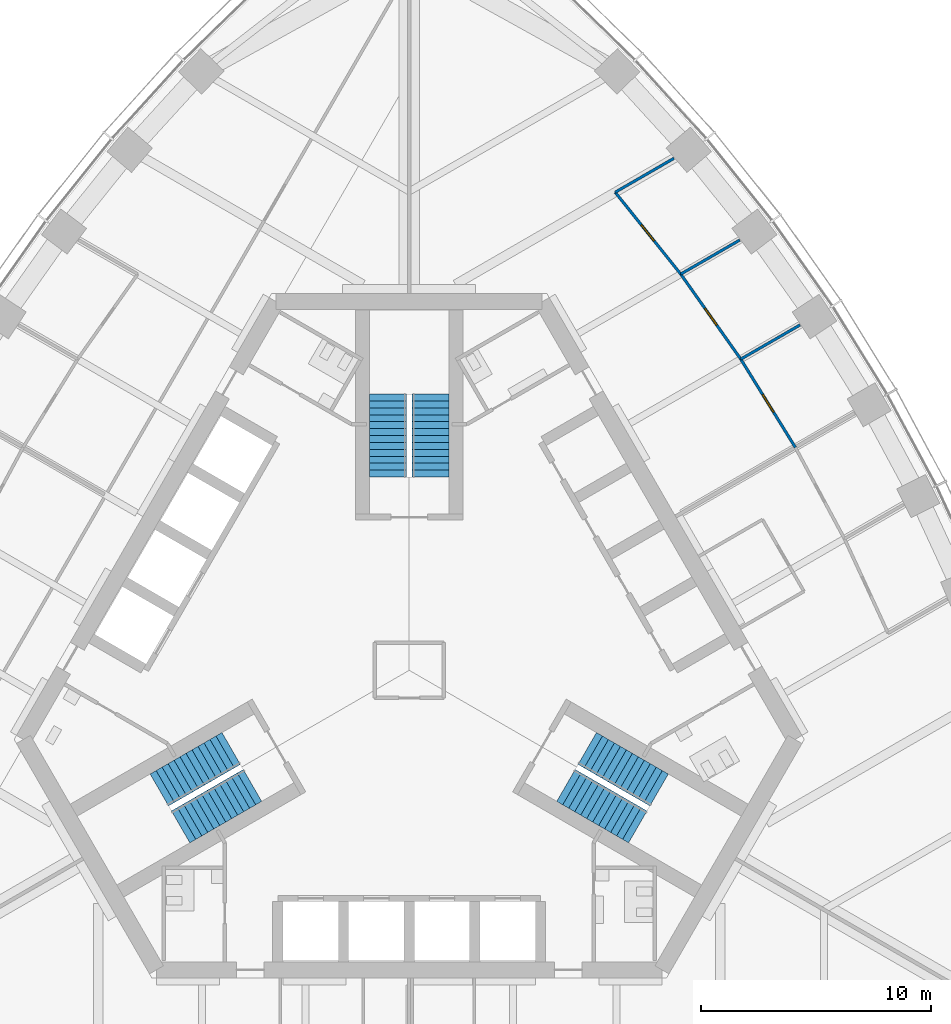
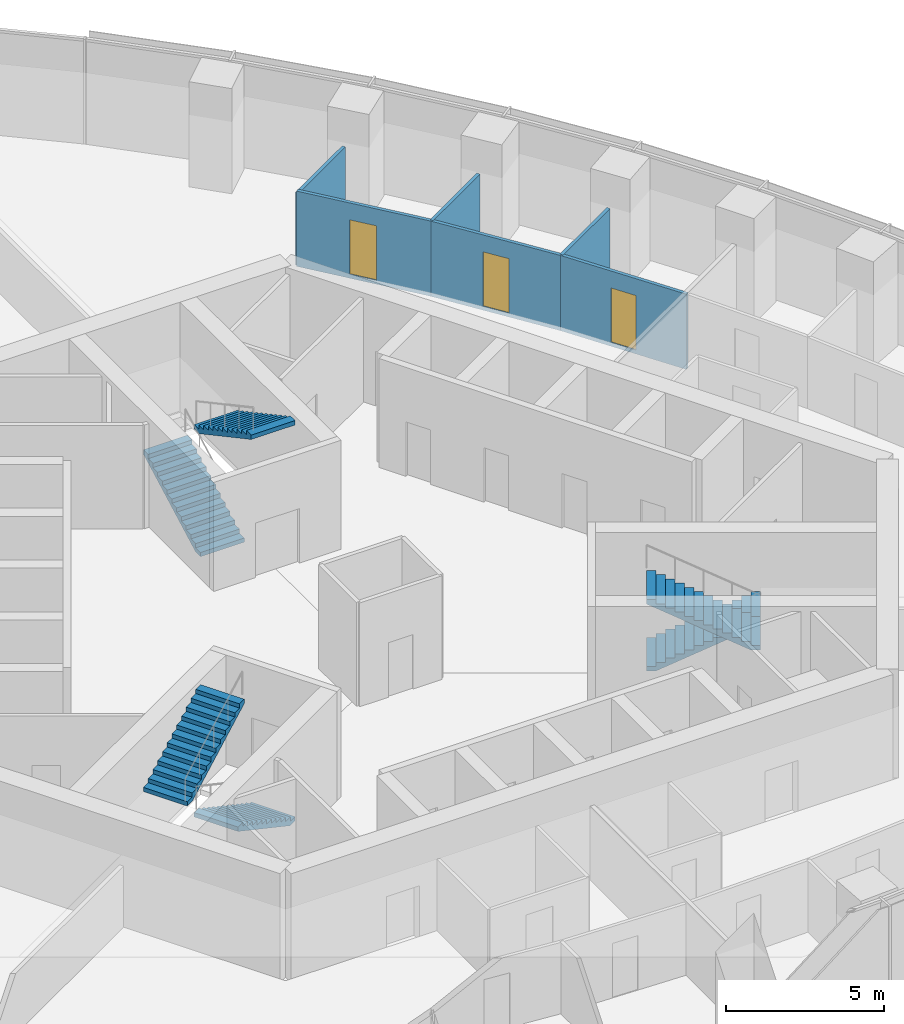
# One storey, part 11 of 16: 6 stair flights, 6 walls, 3 doors, 3 openings, 3 elements without a shape of their own.
"""IFC4 building model written with IfcOpenShell, lengths in metres."""

import ifcopenshell
import ifcopenshell.guid

model = None  # the IFC model being written
_history = None  # IfcOwnerHistory: only IFC2X3 demands one
_inside = {}  # id of a spatial element -> (the spatial element, [elements in it])
_under = {}  # id of a project, library or spatial element -> (it, [spatial elements below it])
_declared = {}  # id of a project -> (the project, [libraries it declares])
_typed = {}  # id of a type object -> (the type object, [elements of that type])
_made_of = {}  # id of a material, layer set ... -> (it, [elements and type objects made of it])


def new_model(schema):
    """Start an empty IFC model of exactly this schema.

    Asked for "IFC4X3", IfcOpenShell would pick the latest addendum, in which some entities
    have other attributes; the version numbers below select the first issue.
    IFC2X3 requires an IfcOwnerHistory on every rooted entity: one is made here for all.
    """
    global model, _history
    if schema == "IFC4X3":
        model = ifcopenshell.file(schema_version=(4, 3, 0, 0))
    else:
        model = ifcopenshell.file(schema=schema)
    _inside.clear()
    _under.clear()
    _declared.clear()
    _typed.clear()
    _made_of.clear()
    _history = None
    if model.schema == "IFC2X3":
        org = make("IfcOrganization", Name="unknown")
        user = make(
            "IfcPersonAndOrganization",
            ThePerson=make("IfcPerson", FamilyName="unknown"),
            TheOrganization=org,
        )
        app = make(
            "IfcApplication",
            ApplicationDeveloper=org,
            Version="unknown",
            ApplicationFullName="unknown",
            ApplicationIdentifier="unknown",
        )
        _history = make(
            "IfcOwnerHistory",
            OwningUser=user,
            OwningApplication=app,
            ChangeAction="ADDED",
            CreationDate=0,
        )
    return model


def make(cls, **values):
    """One entity of the class cls with the attributes given. An attribute that is None is left unset."""
    return model.create_entity(
        cls, **{name: value for name, value in values.items() if value is not None}
    )


def rooted(cls, **values):
    """An entity with a GlobalId (a new one), such as an element, a storey or a relation."""
    return make(cls, GlobalId=ifcopenshell.guid.new(), OwnerHistory=_history, **values)


def si_unit(unit_type, name, prefix=None):
    """IfcSIUnit, for example si_unit("LENGTHUNIT", "METRE", prefix="MILLI")."""
    return make("IfcSIUnit", UnitType=unit_type, Prefix=prefix, Name=name)


def assignment(units):
    """IfcUnitAssignment: the units of a project."""
    return None if units is None else make("IfcUnitAssignment", Units=units)


def point(xyz):
    """IfcCartesianPoint."""
    return None if xyz is None else make("IfcCartesianPoint", Coordinates=xyz)


def direction(xyz):
    """IfcDirection."""
    return None if xyz is None else make("IfcDirection", DirectionRatios=xyz)


def frame(location, z_axis=None, x_axis=None):
    """IfcAxis2Placement3D, a coordinate frame: its origin and axes. An axis left out is left unset."""
    return make(
        "IfcAxis2Placement3D",
        Location=point(location),
        Axis=direction(z_axis),
        RefDirection=direction(x_axis),
    )


def frame_2d(location, x_axis=None):
    """IfcAxis2Placement2D, a coordinate frame in the plane: its origin and x axis."""
    return make(
        "IfcAxis2Placement2D", Location=point(location), RefDirection=direction(x_axis)
    )


def origin():
    """The frame at (0, 0, 0) with its axes left unset."""
    return frame((0.0, 0.0, 0.0))


def place(relative_to, where):
    """IfcLocalPlacement: puts the frame where relative to a parent placement (None: the world)."""
    return make(
        "IfcLocalPlacement", PlacementRelTo=relative_to, RelativePlacement=where
    )


def context(
    kind, dimensions, precision=None, world=None, true_north=None, identifier=None
):
    """IfcGeometricRepresentationContext, for example the 3D "Model" context."""
    return make(
        "IfcGeometricRepresentationContext",
        ContextIdentifier=identifier,
        ContextType=kind,
        CoordinateSpaceDimension=dimensions,
        Precision=precision,
        WorldCoordinateSystem=world,
        TrueNorth=true_north,
    )


def subcontext(parent, identifier, kind, view, scale=None):
    """IfcGeometricRepresentationSubContext, for example "Body" below "Model"."""
    return make(
        "IfcGeometricRepresentationSubContext",
        ContextIdentifier=identifier,
        ContextType=kind,
        ParentContext=parent,
        TargetScale=scale,
        TargetView=view,
    )


def project(units=None, contexts=None):
    """IfcProject with its units and contexts."""
    return rooted(
        "IfcProject",
        Name="project",
        RepresentationContexts=contexts,
        UnitsInContext=assignment(units),
    )


def spatial(cls, under=None, at=None, **own):
    """A site, building, storey or space (cls), placed at a placement, below another one or the project."""
    s = rooted(cls, ObjectPlacement=at, **own)
    if under is not None:
        _under.setdefault(under.id(), (under, []))[1].append(s)
    return s


def polyline(points):
    """IfcPolyline through the points."""
    return make("IfcPolyline", Points=[point(p) for p in points])


def profile(cls, at=None, kind="AREA", **sizes):
    """A parametric profile (cls). Its sizes go by their IFC names, for example OverallWidth=200.0."""
    return make(cls, ProfileType=kind, Position=at, **sizes)


def rectangle(**sizes):
    """IfcRectangleProfileDef."""
    return profile("IfcRectangleProfileDef", **sizes)


def outline(outer, holes=None, kind="AREA"):
    """IfcArbitraryClosedProfileDef: a profile drawn as a closed curve; with holes, ...WithVoids."""
    if holes is None:
        return make("IfcArbitraryClosedProfileDef", ProfileType=kind, OuterCurve=outer)
    return make(
        "IfcArbitraryProfileDefWithVoids",
        ProfileType=kind,
        OuterCurve=outer,
        InnerCurves=holes,
    )


def extrude(swept, where, along, depth):
    """IfcExtrudedAreaSolid: the profile swept, set in the frame where, extruded along a direction by depth."""
    return make(
        "IfcExtrudedAreaSolid",
        SweptArea=swept,
        Position=where,
        ExtrudedDirection=direction(along),
        Depth=depth,
    )


def shape(context_of_items, identifier, shape_type, items):
    """IfcShapeRepresentation: the items that make up one representation, for example the "Body"."""
    return make(
        "IfcShapeRepresentation",
        ContextOfItems=context_of_items,
        RepresentationIdentifier=identifier,
        RepresentationType=shape_type,
        Items=items,
    )


def material(Name=None, Category=None):
    """IfcMaterial."""
    return make("IfcMaterial", Name=Name, Category=Category)


def layer(
    of_material, thickness, ventilated=None, Name=None, Category=None, Priority=None
):
    """IfcMaterialLayer: one layer of a wall or slab, of a material (None: an air gap)."""
    return make(
        "IfcMaterialLayer",
        Material=of_material,
        LayerThickness=thickness,
        IsVentilated=ventilated,
        Name=Name,
        Category=Category,
        Priority=Priority,
    )


def layer_set(layers, Name=None):
    """IfcMaterialLayerSet."""
    return make("IfcMaterialLayerSet", MaterialLayers=layers, LayerSetName=Name)


def made_of(thing, what):
    """Note that an element or type object is made of a material, layer set ...; save() writes the relation."""
    if what is not None:
        _made_of.setdefault(what.id(), (what, []))[1].append(thing)
    return thing


def type_object(cls, material=None, **own):
    """A type object (cls), such as IfcWallType, which elements share."""
    return made_of(rooted(cls, **own), material)


def element(
    cls,
    number,
    at=None,
    inside=None,
    cuts=None,
    type_object=None,
    material=None,
    context=None,
    identifier="Body",
    shape_type=None,
    held_by="IfcProductDefinitionShape",
    body=None,
    shapes=None,
    **own,
):
    """One element of the class cls, such as IfcWall. Its Tag is "e" and its number.

    at: its placement. inside: the storey or other place that contains it. cuts: it is an
    opening in that element (IfcRelVoidsElement). A single representation is given by context,
    identifier, shape_type and body (its items); several are given by shapes. held_by: the class
    of the entity that holds the representations. save() writes the other relations.
    """
    e = rooted(cls, Tag="e%d" % number, ObjectPlacement=at, **own)
    if body is not None:
        shapes = [shape(context, identifier, shape_type, body)]
    if shapes is not None:
        e.Representation = make(held_by, Representations=shapes)
    if inside is not None:
        _inside.setdefault(inside.id(), (inside, []))[1].append(e)
    if cuts is not None:
        rooted(
            "IfcRelVoidsElement", RelatingBuildingElement=cuts, RelatedOpeningElement=e
        )
    if type_object is not None:
        _typed.setdefault(type_object.id(), (type_object, []))[1].append(e)
    return made_of(e, material)


def fill(opening, filler):
    """IfcRelFillsElement: the door or window that sits in an opening."""
    return rooted(
        "IfcRelFillsElement",
        RelatingOpeningElement=opening,
        RelatedBuildingElement=filler,
    )


def aggregate(whole, parts):
    """IfcRelAggregates: a whole, such as a stair, and the parts it consists of."""
    return rooted("IfcRelAggregates", RelatingObject=whole, RelatedObjects=parts)


def save(model, path):
    """Write the relations noted so far, then the file.

    IfcRelAggregates (storeys below a building ...), IfcRelContainedInSpatialStructure (elements
    in a storey), IfcRelDefinesByType, IfcRelAssociatesMaterial and IfcRelDeclares: one each for
    every whole, place, type object, material and project.
    """
    for whole, parts in _under.values():
        aggregate(whole, parts)
    for where, things in _inside.values():
        rooted(
            "IfcRelContainedInSpatialStructure",
            RelatedElements=things,
            RelatingStructure=where,
        )
    for kind, things in _typed.values():
        rooted("IfcRelDefinesByType", RelatedObjects=things, RelatingType=kind)
    for what, things in _made_of.values():
        rooted("IfcRelAssociatesMaterial", RelatedObjects=things, RelatingMaterial=what)
    for by, libraries in _declared.values():
        rooted("IfcRelDeclares", RelatingContext=by, RelatedDefinitions=libraries)
    model.write(path)


model = new_model("IFC4")

# Units and contexts
model_context = context("Model", 3, precision=1e-05, world=origin(), true_north=direction((0.0, 1.0)))
body_context = subcontext(model_context, "Body", "Model", "MODEL_VIEW")
ifc_project = project(units=[si_unit("LENGTHUNIT", "METRE"), si_unit("AREAUNIT", "SQUARE_METRE"), si_unit("VOLUMEUNIT", "CUBIC_METRE"), si_unit("PLANEANGLEUNIT", "RADIAN"), si_unit("MASSUNIT", "GRAM", prefix="KILO")], contexts=[model_context])

# Site, building, storey
site_placement = place(None, origin())
site = spatial("IfcSite", under=ifc_project, at=site_placement, CompositionType="ELEMENT")
building_placement = place(site_placement, origin())
building = spatial("IfcBuilding", under=site, at=building_placement, Name="Trefoil Bronze Tower", CompositionType="ELEMENT")
storey_placement = place(building_placement, frame((0.0, 0.0, 284.699951171875)))
storey = spatial("IfcBuildingStorey", under=building, at=storey_placement, Name="L65", CompositionType="ELEMENT", Elevation=284.699951171875)

# Wall, opening, door
ifc_material_1 = material(Name="Glazed partition", Category="glass")
ifc_layer = layer(ifc_material_1, 0.1201171875)
ifc_layer_set = layer_set([ifc_layer], Name="Glazed partition 120")
wall_type = type_object("IfcWallType", Name="Glazed partition 120", PredefinedType="PARTITIONING", material=ifc_layer_set)
wall_1_placement = place(storey_placement, frame((16.759033203125, 9.67578125, 0.0), z_axis=(0.0, 0.0, 1.0), x_axis=(-0.525996140194, 0.850486954927, 0.0)))
wall_1 = element("IfcWall", 1, at=wall_1_placement, inside=storey, type_object=wall_type, Name="Partition F2 L65", PredefinedType="PARTITIONING", context=body_context, shape_type="SweptSolid", body=[
    extrude(rectangle(XDim=4.502197265625, YDim=0.1201171875, at=frame_2d((2.2509765625, 0.0))), origin(), (0.0, 0.0, 1.0), 2.900146484375),
])
opening_1_placement = place(wall_1_placement, frame((1.800048828125, 0.0, 0.14990234375)))
opening_1 = element("IfcOpeningElement", 2, at=opening_1_placement, cuts=wall_1, Name="Opening D8", PredefinedType="OPENING", context=body_context, shape_type="SweptSolid", body=[
    extrude(rectangle(XDim=0.89990234375, YDim=2.10009765625, at=frame_2d((0.449951171875, 1.050048828125))), frame((0.0, 0.070068359375, 0.0), z_axis=(0.0, -1.0, 0.0), x_axis=(1.0, 0.0, 0.0)), (0.0, 0.0, 1.0), 0.14013671875),
])
ifc_material_2 = material(Name="Timber door", Category="wood")
door_type = type_object("IfcDoorType", Name="Office door 900", OperationType="SINGLE_SWING_LEFT", PredefinedType="DOOR", material=ifc_material_2)
door_1_placement = place(opening_1_placement, frame((0.89990234375, 0.0, 0.0), z_axis=(0.0, 0.0, 1.0), x_axis=(-1.0, 0.0, 0.0)))
door_1 = element("IfcDoor", 3, at=door_1_placement, inside=storey, type_object=door_type, Name="Office door F2 L65", OperationType="SINGLE_SWING_RIGHT", OverallHeight=2.10009765625, OverallWidth=0.89990234375, PredefinedType="DOOR", context=body_context, shape_type="SweptSolid", body=[
    extrude(rectangle(XDim=0.89990234375, YDim=2.10009765625, at=frame_2d((0.449951171875, 1.050048828125))), frame((0.0, 0.02490234375, 0.0), z_axis=(0.0, -1.0, 0.0), x_axis=(1.0, 0.0, 0.0)), (0.0, 0.0, 1.0), 0.050048828125),
])
fill(opening_1, door_1)

wall_2_placement = place(storey_placement, frame((14.390869140625, 13.5048828125, 0.0), z_axis=(0.0, 0.0, 1.0), x_axis=(-0.576562277172, 0.817053205454, 0.0)))
wall_2 = element("IfcWall", 4, at=wall_2_placement, inside=storey, type_object=wall_type, Name="Partition F2 L65", PredefinedType="PARTITIONING", context=body_context, shape_type="SweptSolid", body=[
    extrude(rectangle(XDim=4.5185546875, YDim=0.1201171875, at=frame_2d((2.25927734375, 0.0))), origin(), (0.0, 0.0, 1.0), 2.900146484375),
])
opening_2_placement = place(wall_2_placement, frame((1.800048828125, 0.0, 0.14990234375)))
opening_2 = element("IfcOpeningElement", 5, at=opening_2_placement, cuts=wall_2, Name="Opening D8", PredefinedType="OPENING", context=body_context, shape_type="SweptSolid", body=[
    extrude(rectangle(XDim=0.89990234375, YDim=2.10009765625, at=frame_2d((0.449951171875, 1.050048828125))), frame((0.0, 0.070068359375, 0.0), z_axis=(0.0, -1.0, 0.0), x_axis=(1.0, 0.0, 0.0)), (0.0, 0.0, 1.0), 0.14013671875),
])
door_2_placement = place(opening_2_placement, frame((0.89990234375, 0.0, 0.0), z_axis=(0.0, 0.0, 1.0), x_axis=(-1.0, 0.0, 0.0)))
door_2 = element("IfcDoor", 6, at=door_2_placement, inside=storey, type_object=door_type, Name="Office door F2 L65", OperationType="SINGLE_SWING_RIGHT", OverallHeight=2.10009765625, OverallWidth=0.89990234375, PredefinedType="DOOR", context=body_context, shape_type="SweptSolid", body=[
    extrude(rectangle(XDim=0.89990234375, YDim=2.10009765625, at=frame_2d((0.449951171875, 1.050048828125))), frame((0.0, 0.02490234375, 0.0), z_axis=(0.0, -1.0, 0.0), x_axis=(1.0, 0.0, 0.0)), (0.0, 0.0, 1.0), 0.050048828125),
])
fill(opening_2, door_2)

wall_3_placement = place(storey_placement, frame((11.78564453125, 17.19677734375, 0.0), z_axis=(0.0, 0.0, 1.0), x_axis=(-0.625263875383, 0.780413407202, 0.0)))
wall_3 = element("IfcWall", 7, at=wall_3_placement, inside=storey, type_object=wall_type, Name="Partition F2 L65", PredefinedType="PARTITIONING", context=body_context, shape_type="SweptSolid", body=[
    extrude(rectangle(XDim=4.552490234375, YDim=0.1201171875, at=frame_2d((2.2763671875, 0.0))), origin(), (0.0, 0.0, 1.0), 2.900146484375),
])
opening_3_placement = place(wall_3_placement, frame((1.85009765625, 0.0, 0.14990234375)))
opening_3 = element("IfcOpeningElement", 8, at=opening_3_placement, cuts=wall_3, Name="Opening D8", PredefinedType="OPENING", context=body_context, shape_type="SweptSolid", body=[
    extrude(rectangle(XDim=0.89990234375, YDim=2.10009765625, at=frame_2d((0.449951171875, 1.050048828125))), frame((0.0, 0.070068359375, 0.0), z_axis=(0.0, -1.0, 0.0), x_axis=(1.0, 0.0, 0.0)), (0.0, 0.0, 1.0), 0.14013671875),
])
door_3_placement = place(opening_3_placement, frame((0.89990234375, 0.0, 0.0), z_axis=(0.0, 0.0, 1.0), x_axis=(-1.0, 0.0, 0.0)))
door_3 = element("IfcDoor", 9, at=door_3_placement, inside=storey, type_object=door_type, Name="Office door F2 L65", OperationType="SINGLE_SWING_LEFT", OverallHeight=2.10009765625, OverallWidth=0.89990234375, PredefinedType="DOOR", context=body_context, shape_type="SweptSolid", body=[
    extrude(rectangle(XDim=0.89990234375, YDim=2.10009765625, at=frame_2d((0.449951171875, 1.050048828125))), frame((0.0, 0.02490234375, 0.0), z_axis=(0.0, -1.0, 0.0), x_axis=(1.0, 0.0, 0.0)), (0.0, 0.0, 1.0), 0.050048828125),
])
fill(opening_3, door_3)

# Walls
wall_4_placement = place(storey_placement, frame((8.939208984375, 20.74951171875, 0.0), z_axis=(0.0, 0.0, 1.0), x_axis=(0.866019881867, 0.500009564119, 0.0)))
element("IfcWall", 10, at=wall_4_placement, inside=storey, type_object=wall_type, Name="Partition F2 L65", PredefinedType="PARTITIONING", context=body_context, shape_type="SweptSolid", body=[
    extrude(rectangle(XDim=2.9443359375, YDim=0.1201171875, at=frame_2d((1.47216796875, 0.0))), origin(), (0.0, 0.0, 1.0), 2.800048828125),
])
wall_5_placement = place(storey_placement, frame((14.390869140625, 13.5048828125, 0.0), z_axis=(0.0, 0.0, 1.0), x_axis=(0.866067759775, 0.499926630096, 0.0)))
element("IfcWall", 11, at=wall_5_placement, inside=storey, type_object=wall_type, Name="Partition F2 L65", PredefinedType="PARTITIONING", context=body_context, shape_type="SweptSolid", body=[
    extrude(rectangle(XDim=2.96728515625, YDim=0.1201171875, at=frame_2d((1.483642578125, 0.0))), origin(), (0.0, 0.0, 1.0), 2.900146484375),
])
wall_6_placement = place(storey_placement, frame((11.78564453125, 17.19677734375, 0.0), z_axis=(0.0, 0.0, 1.0), x_axis=(0.866056430242, 0.499946256749, 0.0)))
element("IfcWall", 12, at=wall_6_placement, inside=storey, type_object=wall_type, Name="Partition F2 L65", PredefinedType="PARTITIONING", context=body_context, shape_type="SweptSolid", body=[
    extrude(rectangle(XDim=2.958740234375, YDim=0.1201171875, at=frame_2d((1.4794921875, 0.0))), origin(), (0.0, 0.0, 1.0), 2.900146484375),
])

# Stair, stair flights
ifc_material_3 = material(Name="Precast concrete B80", Category="concrete")
stair_type = type_object("IfcStairType", Name="Exit stair 26 risers", PredefinedType="HALF_TURN_STAIR", material=ifc_material_3)
stair_1_placement = place(storey_placement, origin())
stair_1 = element("IfcStair", 13, at=stair_1_placement, inside=storey, type_object=stair_type, Name="Stair ST1 L65", PredefinedType="HALF_TURN_STAIR")
ifc_material_4 = material(Name="Precast concrete B80", Category="concrete")
stair_flight_type = type_object("IfcStairFlightType", Name="Stair flight 1600", PredefinedType="STRAIGHT", material=ifc_material_4)
stair_flight_1_placement = place(storey_placement, frame((7.728515625, -3.39404296875, 0.0), z_axis=(0.0, 0.0, 1.0), x_axis=(0.866025403784, -0.5, 0.0)))
stair_flight_1 = element("IfcStairFlight", 14, at=stair_flight_1_placement, type_object=stair_flight_type, Name="ST1 flight 1", NumberOfRisers=13, NumberOfTreads=12, PredefinedType="STRAIGHT", RiserHeight=0.161538462, TreadLength=0.3, context=body_context, shape_type="SweptSolid", body=[
    extrude(outline(polyline([(0.0, 0.0), (0.0, 0.16162109375), (0.300048828125, 0.16162109375), (0.300048828125, 0.322998046875), (0.60009765625, 0.322998046875), (0.60009765625, 0.484619140625), (0.89990234375, 0.484619140625), (0.89990234375, 0.646240234375), (1.199951171875, 0.646240234375), (1.199951171875, 0.8076171875), (1.5, 0.8076171875), (1.5, 0.96923828125), (1.800048828125, 0.96923828125), (1.800048828125, 1.130859375), (2.10009765625, 1.130859375), (2.10009765625, 1.292236328125), (2.39990234375, 1.292236328125), (2.39990234375, 1.453857421875), (2.699951171875, 1.453857421875), (2.699951171875, 1.615478515625), (3.0, 1.615478515625), (3.0, 1.77685546875), (3.300048828125, 1.77685546875), (3.300048828125, 1.9384765625), (3.60009765625, 1.9384765625), (3.60009765625, 2.10009765625), (3.60009765625, 1.768310546875), (0.316162109375, 0.0), (0.0, 0.0)])), frame((0.0, 0.800048828125, 0.0), z_axis=(0.0, -1.0, 0.0), x_axis=(1.0, 0.0, 0.0)), (0.0, 0.0, 1.0), 1.60009765625),
])
stair_flight_2_placement = place(storey_placement, frame((9.921142578125, -6.796142578125, 2.10009765625), z_axis=(0.0, 0.0, 1.0), x_axis=(-0.866025403784, 0.5, 0.0)))
stair_flight_2 = element("IfcStairFlight", 15, at=stair_flight_2_placement, type_object=stair_flight_type, Name="ST1 flight 2", NumberOfRisers=13, NumberOfTreads=12, PredefinedType="STRAIGHT", RiserHeight=0.161538462, TreadLength=0.3, context=body_context, shape_type="SweptSolid", body=[
    extrude(outline(polyline([(0.0, 0.0), (0.0, 0.16162109375), (0.300048828125, 0.16162109375), (0.300048828125, 0.322998046875), (0.60009765625, 0.322998046875), (0.60009765625, 0.484619140625), (0.89990234375, 0.484619140625), (0.89990234375, 0.646240234375), (1.199951171875, 0.646240234375), (1.199951171875, 0.8076171875), (1.5, 0.8076171875), (1.5, 0.96923828125), (1.800048828125, 0.96923828125), (1.800048828125, 1.130859375), (2.10009765625, 1.130859375), (2.10009765625, 1.292236328125), (2.39990234375, 1.292236328125), (2.39990234375, 1.453857421875), (2.699951171875, 1.453857421875), (2.699951171875, 1.615478515625), (3.0, 1.615478515625), (3.0, 1.77685546875), (3.300048828125, 1.77685546875), (3.300048828125, 1.9384765625), (3.60009765625, 1.9384765625), (3.60009765625, 2.10009765625), (3.60009765625, 1.768310546875), (0.316162109375, 0.0), (0.0, 0.0)])), frame((0.0, 0.800048828125, 0.0), z_axis=(0.0, -1.0, 0.0), x_axis=(1.0, 0.0, 0.0)), (0.0, 0.0, 1.0), 1.60009765625),
])
aggregate(stair_1, [stair_flight_1, stair_flight_2])

stair_2_placement = place(storey_placement, origin())
stair_2 = element("IfcStair", 16, at=stair_2_placement, inside=storey, type_object=stair_type, Name="Stair ST2 L65", PredefinedType="HALF_TURN_STAIR")
stair_flight_3_placement = place(storey_placement, frame((-0.925048828125, 8.389892578125, 0.0), z_axis=(0.0, 0.0, 1.0), x_axis=(0.0, 1.0, 0.0)))
stair_flight_3 = element("IfcStairFlight", 17, at=stair_flight_3_placement, type_object=stair_flight_type, Name="ST2 flight 1", NumberOfRisers=13, NumberOfTreads=12, PredefinedType="STRAIGHT", RiserHeight=0.161538462, TreadLength=0.3, context=body_context, shape_type="SweptSolid", body=[
    extrude(outline(polyline([(0.0, 0.0), (0.0, 0.16162109375), (0.300048828125, 0.16162109375), (0.300048828125, 0.322998046875), (0.60009765625, 0.322998046875), (0.60009765625, 0.484619140625), (0.89990234375, 0.484619140625), (0.89990234375, 0.646240234375), (1.199951171875, 0.646240234375), (1.199951171875, 0.8076171875), (1.5, 0.8076171875), (1.5, 0.96923828125), (1.800048828125, 0.96923828125), (1.800048828125, 1.130859375), (2.10009765625, 1.130859375), (2.10009765625, 1.292236328125), (2.39990234375, 1.292236328125), (2.39990234375, 1.453857421875), (2.699951171875, 1.453857421875), (2.699951171875, 1.615478515625), (3.0, 1.615478515625), (3.0, 1.77685546875), (3.300048828125, 1.77685546875), (3.300048828125, 1.9384765625), (3.60009765625, 1.9384765625), (3.60009765625, 2.10009765625), (3.60009765625, 1.768310546875), (0.316162109375, 0.0), (0.0, 0.0)])), frame((0.0, 0.800048828125, 0.0), z_axis=(0.0, -1.0, 0.0), x_axis=(1.0, 0.0, 0.0)), (0.0, 0.0, 1.0), 1.60009765625),
])
stair_flight_4_placement = place(storey_placement, frame((0.925048828125, 11.989990234375, 2.10009765625), z_axis=(0.0, 0.0, 1.0), x_axis=(0.0, -1.0, 0.0)))
stair_flight_4 = element("IfcStairFlight", 18, at=stair_flight_4_placement, type_object=stair_flight_type, Name="ST2 flight 2", NumberOfRisers=13, NumberOfTreads=12, PredefinedType="STRAIGHT", RiserHeight=0.161538462, TreadLength=0.3, context=body_context, shape_type="SweptSolid", body=[
    extrude(outline(polyline([(0.0, 0.0), (0.0, 0.16162109375), (0.300048828125, 0.16162109375), (0.300048828125, 0.322998046875), (0.60009765625, 0.322998046875), (0.60009765625, 0.484619140625), (0.89990234375, 0.484619140625), (0.89990234375, 0.646240234375), (1.199951171875, 0.646240234375), (1.199951171875, 0.8076171875), (1.5, 0.8076171875), (1.5, 0.96923828125), (1.800048828125, 0.96923828125), (1.800048828125, 1.130859375), (2.10009765625, 1.130859375), (2.10009765625, 1.292236328125), (2.39990234375, 1.292236328125), (2.39990234375, 1.453857421875), (2.699951171875, 1.453857421875), (2.699951171875, 1.615478515625), (3.0, 1.615478515625), (3.0, 1.77685546875), (3.300048828125, 1.77685546875), (3.300048828125, 1.9384765625), (3.60009765625, 1.9384765625), (3.60009765625, 2.10009765625), (3.60009765625, 1.768310546875), (0.316162109375, 0.0), (0.0, 0.0)])), frame((0.0, 0.800048828125, 0.0), z_axis=(0.0, -1.0, 0.0), x_axis=(1.0, 0.0, 0.0)), (0.0, 0.0, 1.0), 1.60009765625),
])
aggregate(stair_2, [stair_flight_3, stair_flight_4])

stair_3_placement = place(storey_placement, origin())
stair_3 = element("IfcStair", 19, at=stair_3_placement, inside=storey, type_object=stair_type, Name="Stair ST3 L65", PredefinedType="HALF_TURN_STAIR")
stair_flight_5_placement = place(storey_placement, frame((-6.803466796875, -4.99609375, 0.0), z_axis=(0.0, 0.0, 1.0), x_axis=(-0.866025403784, -0.5, 0.0)))
stair_flight_5 = element("IfcStairFlight", 20, at=stair_flight_5_placement, type_object=stair_flight_type, Name="ST3 flight 1", NumberOfRisers=13, NumberOfTreads=12, PredefinedType="STRAIGHT", RiserHeight=0.161538462, TreadLength=0.3, context=body_context, shape_type="SweptSolid", body=[
    extrude(outline(polyline([(0.0, 0.0), (0.0, 0.16162109375), (0.300048828125, 0.16162109375), (0.300048828125, 0.322998046875), (0.60009765625, 0.322998046875), (0.60009765625, 0.484619140625), (0.89990234375, 0.484619140625), (0.89990234375, 0.646240234375), (1.199951171875, 0.646240234375), (1.199951171875, 0.8076171875), (1.5, 0.8076171875), (1.5, 0.96923828125), (1.800048828125, 0.96923828125), (1.800048828125, 1.130859375), (2.10009765625, 1.130859375), (2.10009765625, 1.292236328125), (2.39990234375, 1.292236328125), (2.39990234375, 1.453857421875), (2.699951171875, 1.453857421875), (2.699951171875, 1.615478515625), (3.0, 1.615478515625), (3.0, 1.77685546875), (3.300048828125, 1.77685546875), (3.300048828125, 1.9384765625), (3.60009765625, 1.9384765625), (3.60009765625, 2.10009765625), (3.60009765625, 1.768310546875), (0.316162109375, 0.0), (0.0, 0.0)])), frame((0.0, 0.800048828125, 0.0), z_axis=(0.0, -1.0, 0.0), x_axis=(1.0, 0.0, 0.0)), (0.0, 0.0, 1.0), 1.60009765625),
])
stair_flight_6_placement = place(storey_placement, frame((-10.84619140625, -5.19384765625, 2.10009765625), z_axis=(0.0, 0.0, 1.0), x_axis=(0.866025403784, 0.5, 0.0)))
stair_flight_6 = element("IfcStairFlight", 21, at=stair_flight_6_placement, type_object=stair_flight_type, Name="ST3 flight 2", NumberOfRisers=13, NumberOfTreads=12, PredefinedType="STRAIGHT", RiserHeight=0.161538462, TreadLength=0.3, context=body_context, shape_type="SweptSolid", body=[
    extrude(outline(polyline([(0.0, 0.0), (0.0, 0.16162109375), (0.300048828125, 0.16162109375), (0.300048828125, 0.322998046875), (0.60009765625, 0.322998046875), (0.60009765625, 0.484619140625), (0.89990234375, 0.484619140625), (0.89990234375, 0.646240234375), (1.199951171875, 0.646240234375), (1.199951171875, 0.8076171875), (1.5, 0.8076171875), (1.5, 0.96923828125), (1.800048828125, 0.96923828125), (1.800048828125, 1.130859375), (2.10009765625, 1.130859375), (2.10009765625, 1.292236328125), (2.39990234375, 1.292236328125), (2.39990234375, 1.453857421875), (2.699951171875, 1.453857421875), (2.699951171875, 1.615478515625), (3.0, 1.615478515625), (3.0, 1.77685546875), (3.300048828125, 1.77685546875), (3.300048828125, 1.9384765625), (3.60009765625, 1.9384765625), (3.60009765625, 2.10009765625), (3.60009765625, 1.768310546875), (0.316162109375, 0.0), (0.0, 0.0)])), frame((0.0, 0.800048828125, 0.0), z_axis=(0.0, -1.0, 0.0), x_axis=(1.0, 0.0, 0.0)), (0.0, 0.0, 1.0), 1.60009765625),
])
aggregate(stair_3, [stair_flight_5, stair_flight_6])

save(model, "model.ifc")
